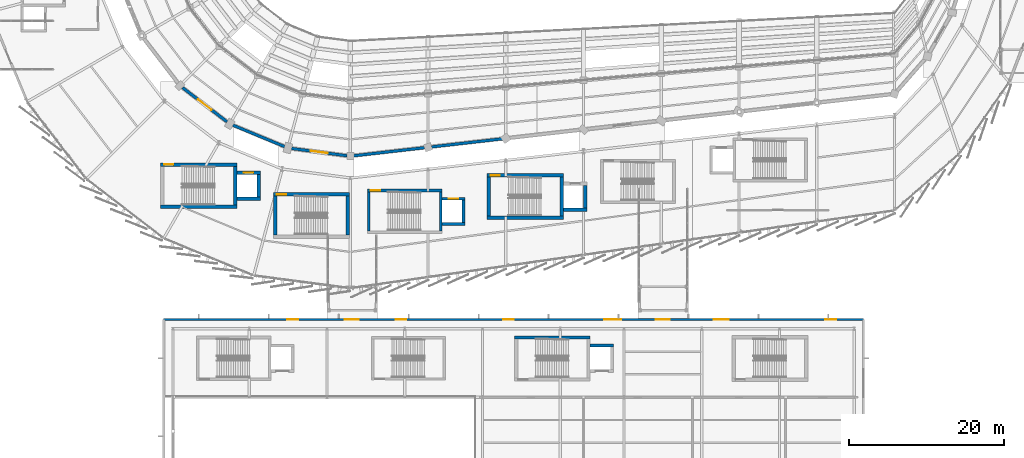
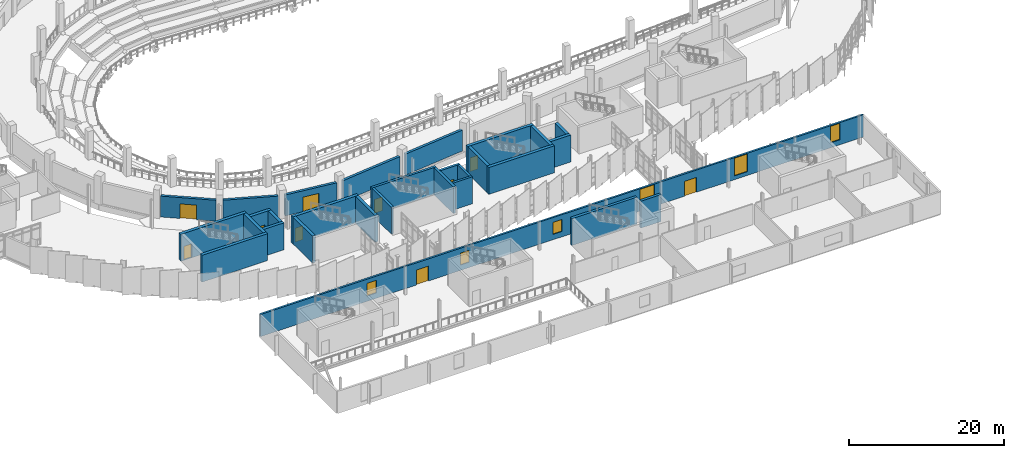
# One storey, part 109 of 134: 29 walls, 10 doors, 6 windows, 16 openings.
"""IFC4 building model written with IfcOpenShell, lengths in metres."""

from ifc_helpers import new_model, si_unit, direction, frame, frame_2d, origin, place, context, subcontext, project, spatial, rectangle, extrude, material, layer, layer_set, type_object, element, fill, save


model = new_model("IFC4")

# Units and contexts
model_context = context("Model", 3, precision=1e-05, world=origin(), true_north=direction((0.0, 1.0)))
body_context = subcontext(model_context, "Body", "Model", "MODEL_VIEW")
ifc_project = project(units=[si_unit("LENGTHUNIT", "METRE"), si_unit("AREAUNIT", "SQUARE_METRE"), si_unit("VOLUMEUNIT", "CUBIC_METRE"), si_unit("PLANEANGLEUNIT", "RADIAN"), si_unit("MASSUNIT", "GRAM", prefix="KILO")], contexts=[model_context])

# Site, building, storey
site_placement = place(None, origin())
site = spatial("IfcSite", under=ifc_project, at=site_placement, CompositionType="ELEMENT")
building_placement = place(site_placement, origin())
building = spatial("IfcBuilding", under=site, at=building_placement, Name="Sohan Crest Arena", CompositionType="ELEMENT")
storey_placement = place(building_placement, frame((0.0, 0.0, 4.5)))
storey = spatial("IfcBuildingStorey", under=building, at=storey_placement, Name="L01", CompositionType="ELEMENT", Elevation=4.5)

# Wall, openings, doors, windows
ifc_material_1 = material(Name="Clinker brick and ceramic mosaic envelope wall", Category="masonry")
ifc_layer_1 = layer(ifc_material_1, 0.280029296875, Name="Clinker brick and ceramic mosaic envelope wall")
ifc_layer_set_1 = layer_set([ifc_layer_1], Name="Clinker brick and ceramic mosaic envelope wall")
wall_type_1 = type_object("IfcWallType", Name="WAL-EW02", PredefinedType="SOLIDWALL", material=ifc_layer_set_1)
wall_1_placement = place(storey_placement, frame((164.0, 26.0, 0.0), z_axis=(0.0, 0.0, 1.0), x_axis=(-1.0, 0.0, 0.0)))
wall_1 = element("IfcWall", 1, at=wall_1_placement, inside=storey, type_object=wall_type_1, Name="External wall EW-132", PredefinedType="SOLIDWALL", context=body_context, shape_type="SweptSolid", body=[
    extrude(rectangle(XDim=90.0, YDim=0.280029296875, at=frame_2d((45.0, 0.0))), origin(), (0.0, 0.0, 1.0), 3.5),
])
opening_1_placement = place(wall_1_placement, frame((3.5, 0.0, 0.800048828125)))
opening_1 = element("IfcOpeningElement", 2, at=opening_1_placement, cuts=wall_1, Name="Opening W-045", PredefinedType="OPENING", context=body_context, shape_type="SweptSolid", body=[
    extrude(rectangle(XDim=1.39990234375, YDim=2.60009765625, at=frame_2d((0.699951171875, 1.300048828125))), frame((0.0, 0.14990234375, 0.0), z_axis=(0.0, -1.0, 0.0), x_axis=(1.0, 0.0, 0.0)), (0.0, 0.0, 1.0), 0.300048828125),
])
opening_2_placement = place(wall_1_placement, frame((17.3330078125, 0.0, 0.60009765625)))
opening_2 = element("IfcOpeningElement", 3, at=opening_2_placement, cuts=wall_1, Name="Opening W-046", PredefinedType="OPENING", context=body_context, shape_type="SweptSolid", body=[
    extrude(rectangle(XDim=1.89990234375, YDim=2.800048828125, at=frame_2d((0.949951171875, 1.39990234375))), frame((0.0, 0.14990234375, 0.0), z_axis=(0.0, -1.0, 0.0), x_axis=(1.0, 0.0, 0.0)), (0.0, 0.0, 1.0), 0.300048828125),
])
opening_3_placement = place(wall_1_placement, frame((31.1669921875, 0.0, 0.39990234375)))
opening_3 = element("IfcOpeningElement", 4, at=opening_3_placement, cuts=wall_1, Name="Opening W-047", PredefinedType="OPENING", context=body_context, shape_type="SweptSolid", body=[
    extrude(rectangle(XDim=2.199951171875, YDim=3.0, at=frame_2d((1.10009765625, 1.5))), frame((0.0, 0.14990234375, 0.0), z_axis=(0.0, -1.0, 0.0), x_axis=(1.0, 0.0, 0.0)), (0.0, 0.0, 1.0), 0.300048828125),
])
opening_4_placement = place(wall_1_placement, frame((45.0, 0.0, 0.85009765625)))
opening_4 = element("IfcOpeningElement", 5, at=opening_4_placement, cuts=wall_1, Name="Opening W-048", PredefinedType="OPENING", context=body_context, shape_type="SweptSolid", body=[
    extrude(rectangle(XDim=1.300048828125, YDim=1.89990234375, at=frame_2d((0.64990234375, 0.949951171875))), frame((0.0, 0.14990234375, 0.0), z_axis=(0.0, -1.0, 0.0), x_axis=(1.0, 0.0, 0.0)), (0.0, 0.0, 1.0), 0.300048828125),
])
opening_5_placement = place(wall_1_placement, frame((58.8330078125, 0.0, 0.85009765625)))
opening_5 = element("IfcOpeningElement", 6, at=opening_5_placement, cuts=wall_1, Name="Opening W-049", PredefinedType="OPENING", context=body_context, shape_type="SweptSolid", body=[
    extrude(rectangle(XDim=1.300048828125, YDim=1.89990234375, at=frame_2d((0.64990234375, 0.949951171875))), frame((0.0, 0.14990234375, 0.0), z_axis=(0.0, -1.0, 0.0), x_axis=(1.0, 0.0, 0.0)), (0.0, 0.0, 1.0), 0.300048828125),
])
opening_6_placement = place(wall_1_placement, frame((72.6669921875, 0.0, 0.85009765625)))
opening_6 = element("IfcOpeningElement", 7, at=opening_6_placement, cuts=wall_1, Name="Opening W-050", PredefinedType="OPENING", context=body_context, shape_type="SweptSolid", body=[
    extrude(rectangle(XDim=1.449951171875, YDim=2.0, at=frame_2d((0.72509765625, 1.0))), frame((0.0, 0.14990234375, 0.0), z_axis=(0.0, -1.0, 0.0), x_axis=(1.0, 0.0, 0.0)), (0.0, 0.0, 1.0), 0.300048828125),
])
opening_7_placement = place(wall_1_placement, frame((64.89990234375, 0.0, 0.0)))
opening_7 = element("IfcOpeningElement", 8, at=opening_7_placement, cuts=wall_1, Name="Opening V5B-L01-98", PredefinedType="OPENING", context=body_context, shape_type="SweptSolid", body=[
    extrude(rectangle(XDim=1.800048828125, YDim=2.35009765625, at=frame_2d((0.89990234375, 1.175048828125))), frame((0.0, 0.14990234375, 0.0), z_axis=(0.0, -1.0, 0.0), x_axis=(1.0, 0.0, 0.0)), (0.0, 0.0, 1.0), 0.300048828125),
])
opening_8_placement = place(wall_1_placement, frame((24.89990234375, 0.0, 0.0)))
opening_8 = element("IfcOpeningElement", 9, at=opening_8_placement, cuts=wall_1, Name="Opening V5B-L01-138", PredefinedType="OPENING", context=body_context, shape_type="SweptSolid", body=[
    extrude(rectangle(XDim=1.800048828125, YDim=2.35009765625, at=frame_2d((0.89990234375, 1.175048828125))), frame((0.0, 0.14990234375, 0.0), z_axis=(0.0, -1.0, 0.0), x_axis=(1.0, 0.0, 0.0)), (0.0, 0.0, 1.0), 0.300048828125),
])
ifc_material_2 = material(Name="Glazed aluminium terrace access door", Category="aluminium")
door_type_1 = type_object("IfcDoorType", Name="DR-ED01", OperationType="DOUBLE_DOOR_SINGLE_SWING", PredefinedType="DOOR", material=ifc_material_2)
door_1_placement = place(opening_7_placement, frame((1.800048828125, 0.0, 0.0), z_axis=(0.0, 0.0, 1.0), x_axis=(-1.0, 0.0, 0.0)))
door_1 = element("IfcDoor", 10, at=door_1_placement, inside=storey, type_object=door_type_1, Name="BOH bridge passage door V5B-L01-98", OperationType="DOUBLE_DOOR_SINGLE_SWING", OverallHeight=2.35009765625, OverallWidth=1.800048828125, PredefinedType="DOOR", context=body_context, shape_type="SweptSolid", body=[
    extrude(rectangle(XDim=1.800048828125, YDim=2.35009765625, at=frame_2d((0.89990234375, 1.175048828125))), frame((0.0, 0.02490234375, 0.0), z_axis=(0.0, -1.0, 0.0), x_axis=(1.0, 0.0, 0.0)), (0.0, 0.0, 1.0), 0.050048828125),
])
fill(opening_7, door_1)
door_2_placement = place(opening_8_placement, frame((1.800048828125, 0.0, 0.0), z_axis=(0.0, 0.0, 1.0), x_axis=(-1.0, 0.0, 0.0)))
door_2 = element("IfcDoor", 11, at=door_2_placement, inside=storey, type_object=door_type_1, Name="BOH bridge passage door V5B-L01-138", OperationType="DOUBLE_DOOR_SINGLE_SWING", OverallHeight=2.35009765625, OverallWidth=1.800048828125, PredefinedType="DOOR", context=body_context, shape_type="SweptSolid", body=[
    extrude(rectangle(XDim=1.800048828125, YDim=2.35009765625, at=frame_2d((0.89990234375, 1.175048828125))), frame((0.0, 0.02490234375, 0.0), z_axis=(0.0, -1.0, 0.0), x_axis=(1.0, 0.0, 0.0)), (0.0, 0.0, 1.0), 0.050048828125),
])
fill(opening_8, door_2)
ifc_material_3 = material(Name="Low-E double-glazed insulated glass", Category="glass")
window_type_1 = type_object("IfcWindowType", Name="WIN-W13", PartitioningType="SINGLE_PANEL", PredefinedType="WINDOW", material=ifc_material_3)
window_1_placement = place(opening_1_placement, origin())
window_1 = element("IfcWindow", 12, at=window_1_placement, inside=storey, type_object=window_type_1, Name="Catalan arched wing window W-045", OverallHeight=2.60009765625, OverallWidth=1.39990234375, PartitioningType="SINGLE_PANEL", PredefinedType="WINDOW", context=body_context, shape_type="SweptSolid", body=[
    extrude(rectangle(XDim=1.39990234375, YDim=2.60009765625, at=frame_2d((0.699951171875, 1.300048828125))), frame((0.0, 0.030029296875, 0.0), z_axis=(0.0, -1.0, 0.0), x_axis=(1.0, 0.0, 0.0)), (0.0, 0.0, 1.0), 0.06005859375),
])
fill(opening_1, window_1)
window_type_2 = type_object("IfcWindowType", Name="WIN-W14", PartitioningType="SINGLE_PANEL", PredefinedType="WINDOW", material=ifc_material_3)
window_2_placement = place(opening_2_placement, origin())
window_2 = element("IfcWindow", 13, at=window_2_placement, inside=storey, type_object=window_type_2, Name="Catalan arched wing window W-046", OverallHeight=2.800048828125, OverallWidth=1.89990234375, PartitioningType="SINGLE_PANEL", PredefinedType="WINDOW", context=body_context, shape_type="SweptSolid", body=[
    extrude(rectangle(XDim=1.89990234375, YDim=2.800048828125, at=frame_2d((0.949951171875, 1.39990234375))), frame((0.0, 0.030029296875, 0.0), z_axis=(0.0, -1.0, 0.0), x_axis=(1.0, 0.0, 0.0)), (0.0, 0.0, 1.0), 0.06005859375),
])
fill(opening_2, window_2)
window_type_3 = type_object("IfcWindowType", Name="WIN-W15", PartitioningType="SINGLE_PANEL", PredefinedType="WINDOW", material=ifc_material_3)
window_3_placement = place(opening_3_placement, origin())
window_3 = element("IfcWindow", 14, at=window_3_placement, inside=storey, type_object=window_type_3, Name="Catalan arched wing window W-047", OverallHeight=3.0, OverallWidth=2.199951171875, PartitioningType="SINGLE_PANEL", PredefinedType="WINDOW", context=body_context, shape_type="SweptSolid", body=[
    extrude(rectangle(XDim=2.199951171875, YDim=3.0, at=frame_2d((1.10009765625, 1.5))), frame((0.0, 0.030029296875, 0.0), z_axis=(0.0, -1.0, 0.0), x_axis=(1.0, 0.0, 0.0)), (0.0, 0.0, 1.0), 0.06005859375),
])
fill(opening_3, window_3)
window_type_4 = type_object("IfcWindowType", Name="WIN-W17", PartitioningType="SINGLE_PANEL", PredefinedType="WINDOW", material=ifc_material_3)
window_4_placement = place(opening_4_placement, origin())
window_4 = element("IfcWindow", 15, at=window_4_placement, inside=storey, type_object=window_type_4, Name="Catalan arched wing window W-048", OverallHeight=1.89990234375, OverallWidth=1.300048828125, PartitioningType="SINGLE_PANEL", PredefinedType="WINDOW", context=body_context, shape_type="SweptSolid", body=[
    extrude(rectangle(XDim=1.300048828125, YDim=1.89990234375, at=frame_2d((0.64990234375, 0.949951171875))), frame((0.0, 0.030029296875, 0.0), z_axis=(0.0, -1.0, 0.0), x_axis=(1.0, 0.0, 0.0)), (0.0, 0.0, 1.0), 0.06005859375),
])
fill(opening_4, window_4)
window_5_placement = place(opening_5_placement, origin())
window_5 = element("IfcWindow", 16, at=window_5_placement, inside=storey, type_object=window_type_4, Name="Catalan arched wing window W-049", OverallHeight=1.89990234375, OverallWidth=1.300048828125, PartitioningType="SINGLE_PANEL", PredefinedType="WINDOW", context=body_context, shape_type="SweptSolid", body=[
    extrude(rectangle(XDim=1.300048828125, YDim=1.89990234375, at=frame_2d((0.64990234375, 0.949951171875))), frame((0.0, 0.030029296875, 0.0), z_axis=(0.0, -1.0, 0.0), x_axis=(1.0, 0.0, 0.0)), (0.0, 0.0, 1.0), 0.06005859375),
])
fill(opening_5, window_5)
window_type_5 = type_object("IfcWindowType", Name="WIN-W18", PartitioningType="SINGLE_PANEL", PredefinedType="WINDOW", material=ifc_material_3)
window_6_placement = place(opening_6_placement, origin())
window_6 = element("IfcWindow", 17, at=window_6_placement, inside=storey, type_object=window_type_5, Name="Catalan arched wing window W-050", OverallHeight=2.0, OverallWidth=1.449951171875, PartitioningType="SINGLE_PANEL", PredefinedType="WINDOW", context=body_context, shape_type="SweptSolid", body=[
    extrude(rectangle(XDim=1.449951171875, YDim=2.0, at=frame_2d((0.72509765625, 1.0))), frame((0.0, 0.030029296875, 0.0), z_axis=(0.0, -1.0, 0.0), x_axis=(1.0, 0.0, 0.0)), (0.0, 0.0, 1.0), 0.06005859375),
])
fill(opening_6, window_6)

# Wall, opening, door
ifc_material_4 = material(Name="Acoustic insulated bowl drum enclosure wall", Category="masonry")
ifc_layer_2 = layer(ifc_material_4, 0.3701171875, Name="Acoustic insulated bowl drum enclosure wall")
ifc_layer_set_2 = layer_set([ifc_layer_2], Name="Acoustic insulated bowl drum enclosure wall")
wall_type_2 = type_object("IfcWallType", Name="WAL-EW05", PredefinedType="SOLIDWALL", material=ifc_layer_set_2)
wall_2_placement = place(storey_placement, frame((76.428955078125, 55.81201171875, 0.0), z_axis=(0.0, 0.0, 1.0), x_axis=(0.793318070515, -0.608807390719, 0.0)))
wall_2 = element("IfcWall", 18, at=wall_2_placement, inside=storey, type_object=wall_type_2, Name="Acoustic bowl drum wall BW-L01-10", PredefinedType="SOLIDWALL", context=body_context, shape_type="SweptSolid", body=[
    extrude(rectangle(XDim=7.212646484375, YDim=0.3701171875, at=frame_2d((3.6064453125, 0.0))), origin(), (0.0, 0.0, 1.0), 3.300048828125),
])
opening_9_placement = place(wall_2_placement, frame((2.506103515625, 0.0, 0.0)))
opening_9 = element("IfcOpeningElement", 19, at=opening_9_placement, cuts=wall_2, Name="Opening VD-L01-10", PredefinedType="OPENING", context=body_context, shape_type="SweptSolid", body=[
    extrude(rectangle(XDim=2.199951171875, YDim=2.300048828125, at=frame_2d((1.10009765625, 1.14990234375))), frame((0.0, 0.195068359375, 0.0), z_axis=(0.0, -1.0, 0.0), x_axis=(1.0, 0.0, 0.0)), (0.0, 0.0, 1.0), 0.39013671875),
])
ifc_material_5 = material(Name="Fire-rated steel double escape door", Category="steel")
door_type_2 = type_object("IfcDoorType", Name="DR-FD01", OperationType="DOUBLE_DOOR_SINGLE_SWING", PredefinedType="DOOR", material=ifc_material_5)
door_3_placement = place(opening_9_placement, origin())
door_3 = element("IfcDoor", 20, at=door_3_placement, inside=storey, type_object=door_type_2, Name="Bowl vomitory portal fire door VD-L01-10", OperationType="DOUBLE_DOOR_SINGLE_SWING", OverallHeight=2.300048828125, OverallWidth=2.199951171875, PredefinedType="DOOR", context=body_context, shape_type="SweptSolid", body=[
    extrude(rectangle(XDim=2.199951171875, YDim=2.300048828125, at=frame_2d((1.10009765625, 1.14990234375))), frame((0.0, 0.02490234375, 0.0), z_axis=(0.0, -1.0, 0.0), x_axis=(1.0, 0.0, 0.0)), (0.0, 0.0, 1.0), 0.050048828125),
])
fill(opening_9, door_3)

# Wall
wall_3_placement = place(storey_placement, frame((82.906982421875, 50.985107421875, 0.0), z_axis=(0.0, 0.0, 1.0), x_axis=(0.923828261086, -0.382807189089, 0.0)))
element("IfcWall", 21, at=wall_3_placement, inside=storey, type_object=wall_type_2, Name="Acoustic bowl drum wall BW-L01-11", PredefinedType="SOLIDWALL", context=body_context, shape_type="SweptSolid", body=[
    extrude(rectangle(XDim=7.21240234375, YDim=0.3701171875, at=frame_2d((3.606201171875, 0.0))), origin(), (0.0, 0.0, 1.0), 3.300048828125),
])

# Wall, opening, door
wall_4_placement = place(storey_placement, frame((90.4130859375, 47.9990234375, 0.0), z_axis=(0.0, 0.0, 1.0), x_axis=(0.991432160885, -0.130622625772, 0.0)))
wall_4 = element("IfcWall", 22, at=wall_4_placement, inside=storey, type_object=wall_type_2, Name="Acoustic bowl drum wall BW-L01-12", PredefinedType="SOLIDWALL", context=body_context, shape_type="SweptSolid", body=[
    extrude(rectangle(XDim=7.212646484375, YDim=0.3701171875, at=frame_2d((3.6064453125, 0.0))), origin(), (0.0, 0.0, 1.0), 3.300048828125),
])
opening_10_placement = place(wall_4_placement, frame((2.506103515625, 0.0, 0.0)))
opening_10 = element("IfcOpeningElement", 23, at=opening_10_placement, cuts=wall_4, Name="Opening VD-L01-12", PredefinedType="OPENING", context=body_context, shape_type="SweptSolid", body=[
    extrude(rectangle(XDim=2.199951171875, YDim=2.300048828125, at=frame_2d((1.10009765625, 1.14990234375))), frame((0.0, 0.195068359375, 0.0), z_axis=(0.0, -1.0, 0.0), x_axis=(1.0, 0.0, 0.0)), (0.0, 0.0, 1.0), 0.39013671875),
])
door_4_placement = place(opening_10_placement, origin())
door_4 = element("IfcDoor", 24, at=door_4_placement, inside=storey, type_object=door_type_2, Name="Bowl vomitory portal fire door VD-L01-12", OperationType="DOUBLE_DOOR_SINGLE_SWING", OverallHeight=2.300048828125, OverallWidth=2.199951171875, PredefinedType="DOOR", context=body_context, shape_type="SweptSolid", body=[
    extrude(rectangle(XDim=2.199951171875, YDim=2.300048828125, at=frame_2d((1.10009765625, 1.14990234375))), frame((0.0, 0.02490234375, 0.0), z_axis=(0.0, -1.0, 0.0), x_axis=(1.0, 0.0, 0.0)), (0.0, 0.0, 1.0), 0.050048828125),
])
fill(opening_10, door_4)

# Walls
for number, where, z_axis, x_axis, name in (
    (25, (98.43701171875, 47.050048828125, 0.0), (0.0, 0.0, 1.0), (0.993532672656, 0.113546591161, 0.0), "Acoustic bowl drum wall BW-L01-13"),
    (26, (108.43701171875, 48.193115234375, 0.0), (0.0, 0.0, 1.0), (0.993532672656, 0.113546591161, 0.0), "Acoustic bowl drum wall BW-L01-14"),
):
    element("IfcWall", number, at=place(storey_placement, frame(where, z_axis=z_axis, x_axis=x_axis)), inside=storey, type_object=wall_type_2, Name=name, PredefinedType="SOLIDWALL", context=body_context, shape_type="SweptSolid", body=[
        extrude(rectangle(XDim=9.185302734375, YDim=0.3701171875, at=frame_2d((4.5927734375, 0.0))), origin(), (0.0, 0.0, 1.0), 3.300048828125),
    ])
ifc_material_6 = material(Name="Concrete C40/50", Category="concrete")
ifc_layer_3 = layer(ifc_material_6, 0.35009765625, Name="Concrete C40/50")
ifc_layer_set_3 = layer_set([ifc_layer_3], Name="Concrete C40/50")
wall_type_3 = type_object("IfcWallType", Name="WAL-SW02", PredefinedType="SHEAR", material=ifc_layer_set_3)
for number, where, z_axis, x_axis, name in (
    (27, (100.375, 37.39990234375, 0.0), (0.0, 0.0, 1.0), (0.0, 1.0, 0.0), "Core shear wall SW-0250"),
    (28, (109.625, 37.39990234375, 0.0), (0.0, 0.0, 1.0), (0.0, 1.0, 0.0), "Core shear wall SW-0251"),
):
    element("IfcWall", number, at=place(storey_placement, frame(where, z_axis=z_axis, x_axis=x_axis)), inside=storey, type_object=wall_type_3, Name=name, PredefinedType="SHEAR", context=body_context, shape_type="SweptSolid", body=[
        extrude(rectangle(XDim=5.0, YDim=0.35009765625, at=frame_2d((2.5, 0.0))), origin(), (0.0, 0.0, 1.0), 4.25),
    ])

# Wall, opening, door
wall_5_placement = place(storey_placement, frame((100.199951171875, 42.574951171875, 0.0), z_axis=(0.0, 0.0, 1.0), x_axis=(1.0, 0.0, 0.0)))
wall_5 = element("IfcWall", 29, at=wall_5_placement, inside=storey, type_object=wall_type_3, Name="Core shear wall SW-0253", PredefinedType="SHEAR", context=body_context, shape_type="SweptSolid", body=[
    extrude(rectangle(XDim=9.60009765625, YDim=0.35009765625, at=frame_2d((4.800048828125, 0.0))), origin(), (0.0, 0.0, 1.0), 4.25),
])
opening_11_placement = place(wall_5_placement, frame((0.449951171875, 0.0, 0.0)))
opening_11 = element("IfcOpeningElement", 30, at=opening_11_placement, cuts=wall_5, Name="Opening SD-0073", PredefinedType="OPENING", context=body_context, shape_type="SweptSolid", body=[
    extrude(rectangle(XDim=1.199951171875, YDim=2.199951171875, at=frame_2d((0.60009765625, 1.10009765625))), frame((0.0, 0.18505859375, 0.0), z_axis=(0.0, -1.0, 0.0), x_axis=(1.0, 0.0, 0.0)), (0.0, 0.0, 1.0), 0.3701171875),
])
ifc_material_7 = material(Name="Fire-rated steel stair and lobby door", Category="steel")
door_type_3 = type_object("IfcDoorType", Name="DR-FD04", OperationType="NOTDEFINED", PredefinedType="DOOR", material=ifc_material_7)
door_5_placement = place(opening_11_placement, origin())
door_5 = element("IfcDoor", 31, at=door_5_placement, inside=storey, type_object=door_type_3, Name="Protected stair door SD-0073", OperationType="SINGLE_SWING_RIGHT", OverallHeight=2.199951171875, OverallWidth=1.199951171875, PredefinedType="DOOR", context=body_context, shape_type="SweptSolid", body=[
    extrude(rectangle(XDim=1.199951171875, YDim=2.199951171875, at=frame_2d((0.60009765625, 1.10009765625))), frame((0.0, 0.02490234375, 0.0), z_axis=(0.0, -1.0, 0.0), x_axis=(1.0, 0.0, 0.0)), (0.0, 0.0, 1.0), 0.050048828125),
])
fill(opening_11, door_5)

# Walls
wall_6_placement = place(storey_placement, frame((112.574951171875, 38.449951171875, 0.0), z_axis=(0.0, 0.0, 1.0), x_axis=(0.0, 1.0, 0.0)))
element("IfcWall", 32, at=wall_6_placement, inside=storey, type_object=wall_type_3, Name="Core shear wall SW-0254", PredefinedType="SHEAR", context=body_context, shape_type="SweptSolid", body=[
    extrude(rectangle(XDim=2.900146484375, YDim=0.35009765625, at=frame_2d((1.4501953125, 0.0))), origin(), (0.0, 0.0, 1.0), 4.25),
])
wall_7_placement = place(storey_placement, frame((109.800048828125, 38.27490234375, 0.0), z_axis=(0.0, 0.0, 1.0), x_axis=(1.0, 0.0, 0.0)))
element("IfcWall", 33, at=wall_7_placement, inside=storey, type_object=wall_type_3, Name="Core shear wall SW-0255", PredefinedType="SHEAR", context=body_context, shape_type="SweptSolid", body=[
    extrude(rectangle(XDim=2.949951171875, YDim=0.35009765625, at=frame_2d((1.47509765625, 0.0))), origin(), (0.0, 0.0, 1.0), 4.25),
])

# Wall, opening, door
wall_8_placement = place(storey_placement, frame((109.800048828125, 41.52490234375, 0.0), z_axis=(0.0, 0.0, 1.0), x_axis=(1.0, 0.0, 0.0)))
wall_8 = element("IfcWall", 34, at=wall_8_placement, inside=storey, type_object=wall_type_3, Name="Core shear wall SW-0256", PredefinedType="SHEAR", context=body_context, shape_type="SweptSolid", body=[
    extrude(rectangle(XDim=2.949951171875, YDim=0.35009765625, at=frame_2d((1.47509765625, 0.0))), origin(), (0.0, 0.0, 1.0), 4.25),
])
opening_12_placement = place(wall_8_placement, frame((0.875, 0.0, 0.0)))
opening_12 = element("IfcOpeningElement", 35, at=opening_12_placement, cuts=wall_8, Name="Opening LD-LP03-L01", PredefinedType="OPENING", context=body_context, shape_type="SweptSolid", body=[
    extrude(rectangle(XDim=1.199951171875, YDim=2.199951171875, at=frame_2d((0.60009765625, 1.10009765625))), frame((0.0, 0.18505859375, 0.0), z_axis=(0.0, -1.0, 0.0), x_axis=(1.0, 0.0, 0.0)), (0.0, 0.0, 1.0), 0.3701171875),
])
ifc_material_8 = material(Name="Stainless steel passenger lift landing door", Category="steel")
door_type_4 = type_object("IfcDoorType", Name="DR-LD02", OperationType="SLIDING_TO_LEFT", PredefinedType="DOOR", material=ifc_material_8)
door_6_placement = place(opening_12_placement, origin())
door_6 = element("IfcDoor", 36, at=door_6_placement, inside=storey, type_object=door_type_4, Name="Sliding lift landing door LD-LP03-L01", OperationType="SLIDING_TO_LEFT", OverallHeight=2.199951171875, OverallWidth=1.199951171875, PredefinedType="DOOR", context=body_context, shape_type="SweptSolid", body=[
    extrude(rectangle(XDim=1.199951171875, YDim=2.199951171875, at=frame_2d((0.60009765625, 1.10009765625))), frame((0.0, 0.02490234375, 0.0), z_axis=(0.0, -1.0, 0.0), x_axis=(1.0, 0.0, 0.0)), (0.0, 0.0, 1.0), 0.050048828125),
])
fill(opening_12, door_6)

# Walls
ifc_layer_4 = layer(ifc_material_6, 0.39990234375, Name="Concrete C40/50")
ifc_layer_set_4 = layer_set([ifc_layer_4], Name="Concrete C40/50")
wall_type_4 = type_object("IfcWallType", Name="WAL-SW03", PredefinedType="SHEAR", material=ifc_layer_set_4)
wall_9_placement = place(storey_placement, frame((119.14990234375, 23.699951171875, 0.0), z_axis=(0.0, 0.0, 1.0), x_axis=(1.0, 0.0, 0.0)))
element("IfcWall", 37, at=wall_9_placement, inside=storey, type_object=wall_type_4, Name="Core shear wall SW-0708", PredefinedType="SHEAR", context=body_context, shape_type="SweptSolid", body=[
    extrude(rectangle(XDim=9.7001953125, YDim=0.39990234375, at=frame_2d((4.85009765625, 0.0))), origin(), (0.0, 0.0, 1.0), 4.25),
])
wall_10_placement = place(storey_placement, frame((128.85009765625, 22.64990234375, 0.0), z_axis=(0.0, 0.0, 1.0), x_axis=(1.0, 0.0, 0.0)))
element("IfcWall", 38, at=wall_10_placement, inside=storey, type_object=wall_type_4, Name="Core shear wall SW-0711", PredefinedType="SHEAR", context=body_context, shape_type="SweptSolid", body=[
    extrude(rectangle(XDim=3.0, YDim=0.39990234375, at=frame_2d((1.5, 0.0))), origin(), (0.0, 0.0, 1.0), 4.25),
])
ifc_layer_5 = layer(ifc_material_6, 0.449951171875, Name="Concrete C40/50")
ifc_layer_set_5 = layer_set([ifc_layer_5], Name="Concrete C40/50")
wall_type_5 = type_object("IfcWallType", Name="WAL-SW04", PredefinedType="SHEAR", material=ifc_layer_set_5)
wall_11_placement = place(storey_placement, frame((83.175048828125, 40.699951171875, 0.0), z_axis=(0.0, 0.0, 1.0), x_axis=(0.0, 1.0, 0.0)))
element("IfcWall", 39, at=wall_11_placement, inside=storey, type_object=wall_type_5, Name="Core shear wall SW-0156", PredefinedType="SHEAR", context=body_context, shape_type="SweptSolid", body=[
    extrude(rectangle(XDim=5.0, YDim=0.449951171875, at=frame_2d((2.5, 0.0))), origin(), (0.0, 0.0, 1.0), 4.25),
])
wall_12_placement = place(storey_placement, frame((73.60009765625, 40.47509765625, 0.0), z_axis=(0.0, 0.0, 1.0), x_axis=(1.0, 0.0, 0.0)))
element("IfcWall", 40, at=wall_12_placement, inside=storey, type_object=wall_type_5, Name="Core shear wall SW-0157", PredefinedType="SHEAR", context=body_context, shape_type="SweptSolid", body=[
    extrude(rectangle(XDim=9.7998046875, YDim=0.449951171875, at=frame_2d((4.89990234375, 0.0))), origin(), (0.0, 0.0, 1.0), 4.25),
])

# Wall, opening, door
wall_13_placement = place(storey_placement, frame((73.60009765625, 45.925048828125, 0.0), z_axis=(0.0, 0.0, 1.0), x_axis=(1.0, 0.0, 0.0)))
wall_13 = element("IfcWall", 41, at=wall_13_placement, inside=storey, type_object=wall_type_5, Name="Core shear wall SW-0158", PredefinedType="SHEAR", context=body_context, shape_type="SweptSolid", body=[
    extrude(rectangle(XDim=9.7998046875, YDim=0.449951171875, at=frame_2d((4.89990234375, 0.0))), origin(), (0.0, 0.0, 1.0), 4.25),
])
opening_13_placement = place(wall_13_placement, frame((0.449951171875, 0.0, 0.0)))
opening_13 = element("IfcOpeningElement", 42, at=opening_13_placement, cuts=wall_13, Name="Opening SD-0047", PredefinedType="OPENING", context=body_context, shape_type="SweptSolid", body=[
    extrude(rectangle(XDim=1.199951171875, YDim=2.199951171875, at=frame_2d((0.60009765625, 1.10009765625))), frame((0.0, 0.23486328125, 0.0), z_axis=(0.0, -1.0, 0.0), x_axis=(1.0, 0.0, 0.0)), (0.0, 0.0, 1.0), 0.469970703125),
])
door_7_placement = place(opening_13_placement, origin())
door_7 = element("IfcDoor", 43, at=door_7_placement, inside=storey, type_object=door_type_3, Name="Protected stair door SD-0047", OperationType="SINGLE_SWING_LEFT", OverallHeight=2.199951171875, OverallWidth=1.199951171875, PredefinedType="DOOR", context=body_context, shape_type="SweptSolid", body=[
    extrude(rectangle(XDim=1.199951171875, YDim=2.199951171875, at=frame_2d((0.60009765625, 1.10009765625))), frame((0.0, 0.02490234375, 0.0), z_axis=(0.0, -1.0, 0.0), x_axis=(1.0, 0.0, 0.0)), (0.0, 0.0, 1.0), 0.050048828125),
])
fill(opening_13, door_7)

# Walls
wall_14_placement = place(storey_placement, frame((86.22509765625, 41.75, 0.0), z_axis=(0.0, 0.0, 1.0), x_axis=(0.0, 1.0, 0.0)))
element("IfcWall", 44, at=wall_14_placement, inside=storey, type_object=wall_type_5, Name="Core shear wall SW-0159", PredefinedType="SHEAR", context=body_context, shape_type="SweptSolid", body=[
    extrude(rectangle(XDim=2.89990234375, YDim=0.449951171875, at=frame_2d((1.449951171875, 0.0))), origin(), (0.0, 0.0, 1.0), 4.25),
])
wall_15_placement = place(storey_placement, frame((83.39990234375, 41.52490234375, 0.0), z_axis=(0.0, 0.0, 1.0), x_axis=(1.0, 0.0, 0.0)))
element("IfcWall", 45, at=wall_15_placement, inside=storey, type_object=wall_type_5, Name="Core shear wall SW-0160", PredefinedType="SHEAR", context=body_context, shape_type="SweptSolid", body=[
    extrude(rectangle(XDim=3.050048828125, YDim=0.449951171875, at=frame_2d((1.52490234375, 0.0))), origin(), (0.0, 0.0, 1.0), 4.25),
])

# Wall, opening, door
wall_16_placement = place(storey_placement, frame((83.39990234375, 44.875, 0.0), z_axis=(0.0, 0.0, 1.0), x_axis=(1.0, 0.0, 0.0)))
wall_16 = element("IfcWall", 46, at=wall_16_placement, inside=storey, type_object=wall_type_5, Name="Core shear wall SW-0161", PredefinedType="SHEAR", context=body_context, shape_type="SweptSolid", body=[
    extrude(rectangle(XDim=3.050048828125, YDim=0.449951171875, at=frame_2d((1.52490234375, 0.0))), origin(), (0.0, 0.0, 1.0), 4.25),
])
opening_14_placement = place(wall_16_placement, frame((0.925048828125, 0.0, 0.0)))
opening_14 = element("IfcOpeningElement", 47, at=opening_14_placement, cuts=wall_16, Name="Opening LD-LP01-L01", PredefinedType="OPENING", context=body_context, shape_type="SweptSolid", body=[
    extrude(rectangle(XDim=1.199951171875, YDim=2.199951171875, at=frame_2d((0.60009765625, 1.10009765625))), frame((0.0, 0.23486328125, 0.0), z_axis=(0.0, -1.0, 0.0), x_axis=(1.0, 0.0, 0.0)), (0.0, 0.0, 1.0), 0.469970703125),
])
door_8_placement = place(opening_14_placement, origin())
door_8 = element("IfcDoor", 48, at=door_8_placement, inside=storey, type_object=door_type_4, Name="Sliding lift landing door LD-LP01-L01", OperationType="SLIDING_TO_LEFT", OverallHeight=2.199951171875, OverallWidth=1.199951171875, PredefinedType="DOOR", context=body_context, shape_type="SweptSolid", body=[
    extrude(rectangle(XDim=1.199951171875, YDim=2.199951171875, at=frame_2d((0.60009765625, 1.10009765625))), frame((0.0, 0.02490234375, 0.0), z_axis=(0.0, -1.0, 0.0), x_axis=(1.0, 0.0, 0.0)), (0.0, 0.0, 1.0), 0.050048828125),
])
fill(opening_14, door_8)

# Walls
for number, where, z_axis, x_axis, name in (
    (49, (115.824951171875, 39.300048828125, 0.0), (0.0, 0.0, 1.0), (0.0, 1.0, 0.0), "Core shear wall SW-0342"),
    (50, (125.175048828125, 39.300048828125, 0.0), (0.0, 0.0, 1.0), (0.0, 1.0, 0.0), "Core shear wall SW-0343"),
):
    element("IfcWall", number, at=place(storey_placement, frame(where, z_axis=z_axis, x_axis=x_axis)), inside=storey, type_object=wall_type_5, Name=name, PredefinedType="SHEAR", context=body_context, shape_type="SweptSolid", body=[
        extrude(rectangle(XDim=5.0, YDim=0.449951171875, at=frame_2d((2.5, 0.0))), origin(), (0.0, 0.0, 1.0), 4.25),
    ])
wall_17_placement = place(storey_placement, frame((115.60009765625, 39.074951171875, 0.0), z_axis=(0.0, 0.0, 1.0), x_axis=(1.0, 0.0, 0.0)))
element("IfcWall", 51, at=wall_17_placement, inside=storey, type_object=wall_type_5, Name="Core shear wall SW-0344", PredefinedType="SHEAR", context=body_context, shape_type="SweptSolid", body=[
    extrude(rectangle(XDim=9.7998046875, YDim=0.449951171875, at=frame_2d((4.89990234375, 0.0))), origin(), (0.0, 0.0, 1.0), 4.25),
])

# Wall, opening, door
wall_18_placement = place(storey_placement, frame((115.60009765625, 44.52490234375, 0.0), z_axis=(0.0, 0.0, 1.0), x_axis=(1.0, 0.0, 0.0)))
wall_18 = element("IfcWall", 52, at=wall_18_placement, inside=storey, type_object=wall_type_5, Name="Core shear wall SW-0345", PredefinedType="SHEAR", context=body_context, shape_type="SweptSolid", body=[
    extrude(rectangle(XDim=9.7998046875, YDim=0.449951171875, at=frame_2d((4.89990234375, 0.0))), origin(), (0.0, 0.0, 1.0), 4.25),
])
opening_15_placement = place(wall_18_placement, frame((0.449951171875, 0.0, 0.0)))
opening_15 = element("IfcOpeningElement", 53, at=opening_15_placement, cuts=wall_18, Name="Opening SD-0097", PredefinedType="OPENING", context=body_context, shape_type="SweptSolid", body=[
    extrude(rectangle(XDim=1.199951171875, YDim=2.199951171875, at=frame_2d((0.60009765625, 1.10009765625))), frame((0.0, 0.23486328125, 0.0), z_axis=(0.0, -1.0, 0.0), x_axis=(1.0, 0.0, 0.0)), (0.0, 0.0, 1.0), 0.469970703125),
])
door_9_placement = place(opening_15_placement, origin())
door_9 = element("IfcDoor", 54, at=door_9_placement, inside=storey, type_object=door_type_3, Name="Protected stair door SD-0097", OperationType="SINGLE_SWING_RIGHT", OverallHeight=2.199951171875, OverallWidth=1.199951171875, PredefinedType="DOOR", context=body_context, shape_type="SweptSolid", body=[
    extrude(rectangle(XDim=1.199951171875, YDim=2.199951171875, at=frame_2d((0.60009765625, 1.10009765625))), frame((0.0, 0.02490234375, 0.0), z_axis=(0.0, -1.0, 0.0), x_axis=(1.0, 0.0, 0.0)), (0.0, 0.0, 1.0), 0.050048828125),
])
fill(opening_15, door_9)

# Walls
wall_19_placement = place(storey_placement, frame((128.22509765625, 40.35009765625, 0.0), z_axis=(0.0, 0.0, 1.0), x_axis=(0.0, 1.0, 0.0)))
element("IfcWall", 55, at=wall_19_placement, inside=storey, type_object=wall_type_5, Name="Core shear wall SW-0346", PredefinedType="SHEAR", context=body_context, shape_type="SweptSolid", body=[
    extrude(rectangle(XDim=2.89990234375, YDim=0.449951171875, at=frame_2d((1.449951171875, 0.0))), origin(), (0.0, 0.0, 1.0), 4.25),
])
wall_20_placement = place(storey_placement, frame((125.39990234375, 40.125, 0.0), z_axis=(0.0, 0.0, 1.0), x_axis=(1.0, 0.0, 0.0)))
element("IfcWall", 56, at=wall_20_placement, inside=storey, type_object=wall_type_5, Name="Core shear wall SW-0347", PredefinedType="SHEAR", context=body_context, shape_type="SweptSolid", body=[
    extrude(rectangle(XDim=3.050048828125, YDim=0.449951171875, at=frame_2d((1.52490234375, 0.0))), origin(), (0.0, 0.0, 1.0), 4.25),
])
for number, where, z_axis, x_axis, name in (
    (57, (88.324951171875, 36.860107421875, 0.0), (0.0, 0.0, 1.0), (0.0, 1.0, 0.0), "Core shear wall SW-0741"),
    (58, (97.675048828125, 36.860107421875, 0.0), (0.0, 0.0, 1.0), (0.0, 1.0, 0.0), "Core shear wall SW-0742"),
):
    element("IfcWall", number, at=place(storey_placement, frame(where, z_axis=z_axis, x_axis=x_axis)), inside=storey, type_object=wall_type_5, Name=name, PredefinedType="SHEAR", context=body_context, shape_type="SweptSolid", body=[
        extrude(rectangle(XDim=5.0, YDim=0.449951171875, at=frame_2d((2.5, 0.0))), origin(), (0.0, 0.0, 1.0), 4.25),
    ])

# Wall, opening, door
wall_21_placement = place(storey_placement, frame((88.10009765625, 42.0849609375, 0.0), z_axis=(0.0, 0.0, 1.0), x_axis=(1.0, 0.0, 0.0)))
wall_21 = element("IfcWall", 59, at=wall_21_placement, inside=storey, type_object=wall_type_5, Name="Core shear wall SW-0744", PredefinedType="SHEAR", context=body_context, shape_type="SweptSolid", body=[
    extrude(rectangle(XDim=9.7998046875, YDim=0.449951171875, at=frame_2d((4.89990234375, 0.0))), origin(), (0.0, 0.0, 1.0), 4.25),
])
opening_16_placement = place(wall_21_placement, frame((0.449951171875, 0.0, 0.0)))
opening_16 = element("IfcOpeningElement", 60, at=opening_16_placement, cuts=wall_21, Name="Opening SD-0201", PredefinedType="OPENING", context=body_context, shape_type="SweptSolid", body=[
    extrude(rectangle(XDim=1.199951171875, YDim=2.199951171875, at=frame_2d((0.60009765625, 1.10009765625))), frame((0.0, 0.23486328125, 0.0), z_axis=(0.0, -1.0, 0.0), x_axis=(1.0, 0.0, 0.0)), (0.0, 0.0, 1.0), 0.469970703125),
])
door_10_placement = place(opening_16_placement, origin())
door_10 = element("IfcDoor", 61, at=door_10_placement, inside=storey, type_object=door_type_3, Name="Protected stair door SD-0201", OperationType="SINGLE_SWING_LEFT", OverallHeight=2.199951171875, OverallWidth=1.199951171875, PredefinedType="DOOR", context=body_context, shape_type="SweptSolid", body=[
    extrude(rectangle(XDim=1.199951171875, YDim=2.199951171875, at=frame_2d((0.60009765625, 1.10009765625))), frame((0.0, 0.02490234375, 0.0), z_axis=(0.0, -1.0, 0.0), x_axis=(1.0, 0.0, 0.0)), (0.0, 0.0, 1.0), 0.050048828125),
])
fill(opening_16, door_10)

save(model, "model.ifc")
